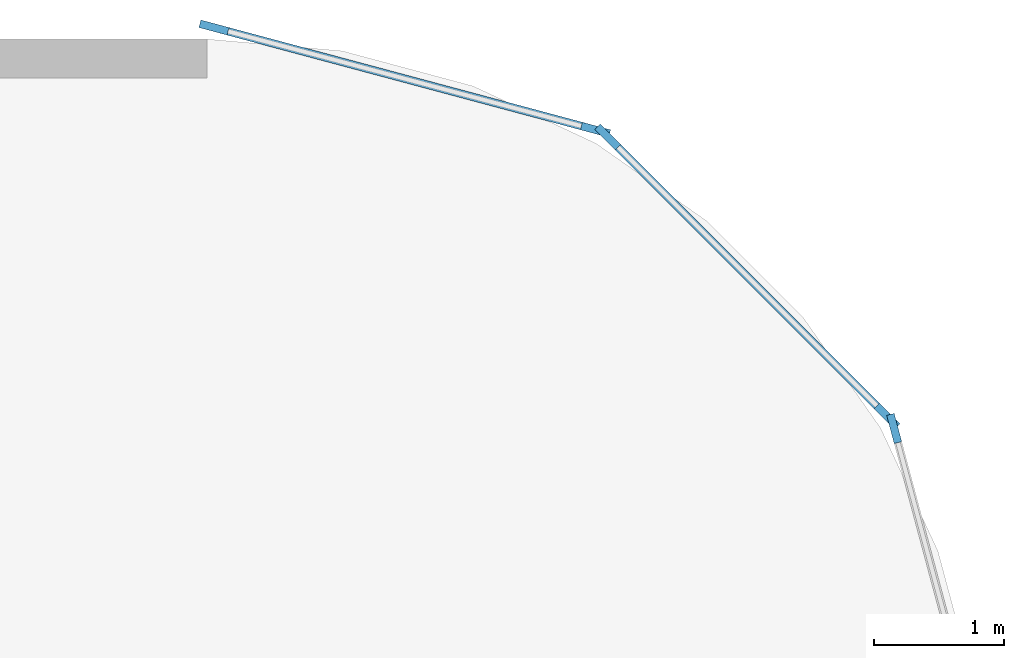
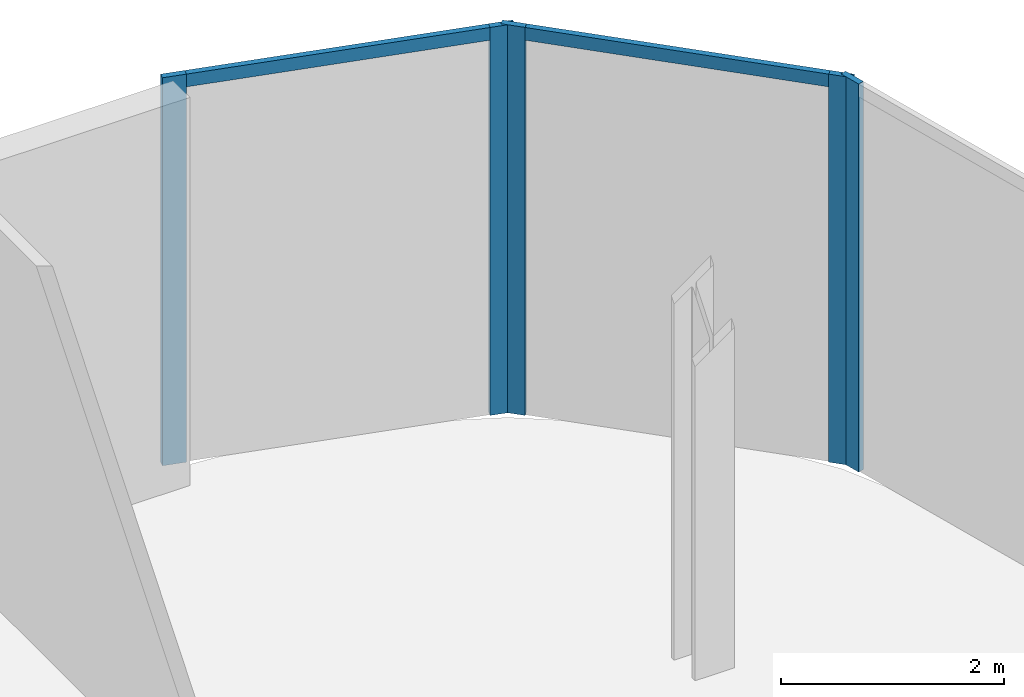
# One storey, part 23 of 47: 7 members, 3 elements without a shape of their own.
"""IFC4 building model written with IfcOpenShell, lengths in metres."""

from ifc_helpers import new_model, si_unit, direction, frame, origin, origin_2d, place, context, subcontext, project, spatial, rectangle, extrude, material, layer, layer_set, material_profile, profile_set, type_object, element, aggregate, save


model = new_model("IFC4")

# Units and contexts
model_context = context("Model", 3, precision=1e-05, world=origin(), true_north=direction((0.0, 1.0)))
body_context = subcontext(model_context, "Body", "Model", "MODEL_VIEW")
ifc_project = project(units=[si_unit("LENGTHUNIT", "METRE"), si_unit("AREAUNIT", "SQUARE_METRE"), si_unit("VOLUMEUNIT", "CUBIC_METRE"), si_unit("PLANEANGLEUNIT", "RADIAN"), si_unit("MASSUNIT", "GRAM", prefix="KILO")], contexts=[model_context])

# Site, building, storey
site_placement = place(None, origin())
site = spatial("IfcSite", under=ifc_project, at=site_placement, CompositionType="ELEMENT")
building_placement = place(site_placement, origin())
building = spatial("IfcBuilding", under=site, at=building_placement, Name="Kheshtan School and Residences Tower", CompositionType="ELEMENT")
storey_placement = place(building_placement, frame((0.0, 0.0, 12.5)))
storey = spatial("IfcBuildingStorey", under=building, at=storey_placement, Name="L02", CompositionType="ELEMENT", Elevation=12.5)

# Curtain wall, members
ifc_material_1 = material(Name="Clear low-e glass in thermally broken aluminium frame", Category="aluminium")
ifc_layer = layer(ifc_material_1, 0.22509765625)
ifc_layer_set = layer_set([ifc_layer], Name="Curtain wall CW-P")
curtain_wall_type = type_object("IfcCurtainWallType", Name="Curtain wall CW-P", PredefinedType="NOTDEFINED", material=ifc_layer_set)
curtain_wall_1_placement = place(storey_placement, origin())
curtain_wall_1 = element("IfcCurtainWall", 1, at=curtain_wall_1_placement, inside=storey, type_object=curtain_wall_type, Name="Curtain wall CWP5a", PredefinedType="NOTDEFINED")
ifc_material_2 = material(Name="Thermally broken aluminium, dark bronze anodised", Category="aluminium")
ifc_material_profile_1 = material_profile(ifc_material_2, rectangle(XDim=0.06005859375, YDim=0.22509765625, at=origin_2d()), Name="CW-P mullion 60x225")
ifc_profile_set_1 = profile_set([ifc_material_profile_1], Name="Thermally broken aluminium, dark bronze anodised")
member_type_1 = type_object("IfcMemberType", Name="CW-P mullion 60x225", PredefinedType="MULLION", material=ifc_profile_set_1)
member_1_placement = place(storey_placement, frame((126.054931640625, 110.0888671875, 0.0), z_axis=(0.0, 0.0, 1.0), x_axis=(0.258864833085, 0.965913556273, 0.0)))
member_1 = element("IfcMember", 2, at=member_1_placement, type_object=member_type_1, Name="CWP5a mullion 1", PredefinedType="MULLION", context=body_context, shape_type="SweptSolid", body=[
    extrude(rectangle(XDim=0.06005859375, YDim=0.22509765625, at=origin_2d()), origin(), (0.0, 0.0, 1.0), 4.25),
])
member_2_placement = place(storey_placement, frame((128.996826171875, 109.30029296875, 0.0), z_axis=(0.0, 0.0, 1.0), x_axis=(0.258864833085, 0.965913556273, 0.0)))
member_2 = element("IfcMember", 3, at=member_2_placement, type_object=member_type_1, Name="CWP5a mullion 2", PredefinedType="MULLION", context=body_context, shape_type="SweptSolid", body=[
    extrude(rectangle(XDim=0.06005859375, YDim=0.22509765625, at=origin_2d()), origin(), (0.0, 0.0, 1.0), 4.25),
])

curtain_wall_2_placement = place(storey_placement, origin())
curtain_wall_2 = element("IfcCurtainWall", 4, at=curtain_wall_2_placement, inside=storey, type_object=curtain_wall_type, Name="Curtain wall CWP6a", PredefinedType="NOTDEFINED")
member_3_placement = place(storey_placement, frame((129.092041015625, 109.24560546875, 0.0), z_axis=(0.0, 0.0, 1.0), x_axis=(0.707106781187, 0.707106781187, 0.0)))
member_3 = element("IfcMember", 5, at=member_3_placement, type_object=member_type_1, Name="CWP6a mullion 1", PredefinedType="MULLION", context=body_context, shape_type="SweptSolid", body=[
    extrude(rectangle(XDim=0.06005859375, YDim=0.22509765625, at=origin_2d()), origin(), (0.0, 0.0, 1.0), 4.25),
])
member_4_placement = place(storey_placement, frame((131.24560546875, 107.092041015625, 0.0), z_axis=(0.0, 0.0, 1.0), x_axis=(0.707106781187, 0.707106781187, 0.0)))
member_4 = element("IfcMember", 6, at=member_4_placement, type_object=member_type_1, Name="CWP6a mullion 2", PredefinedType="MULLION", context=body_context, shape_type="SweptSolid", body=[
    extrude(rectangle(XDim=0.06005859375, YDim=0.22509765625, at=origin_2d()), origin(), (0.0, 0.0, 1.0), 4.25),
])

# Curtain wall, member
curtain_wall_3_placement = place(storey_placement, origin())
curtain_wall_3 = element("IfcCurtainWall", 7, at=curtain_wall_3_placement, inside=storey, type_object=curtain_wall_type, Name="Curtain wall CWP7a", PredefinedType="NOTDEFINED")
member_5_placement = place(storey_placement, frame((131.30029296875, 106.996826171875, 0.0), z_axis=(0.0, 0.0, 1.0), x_axis=(0.965913556273, 0.258864833085, 0.0)))
member_5 = element("IfcMember", 8, at=member_5_placement, type_object=member_type_1, Name="CWP7a mullion 1", PredefinedType="MULLION", context=body_context, shape_type="SweptSolid", body=[
    extrude(rectangle(XDim=0.06005859375, YDim=0.22509765625, at=origin_2d()), origin(), (0.0, 0.0, 1.0), 4.25),
])
aggregate(curtain_wall_3, [member_5])

# Member
ifc_material_profile_2 = material_profile(ifc_material_2, rectangle(XDim=0.06005859375, YDim=0.139892578125, at=origin_2d()), Name="CW-P transom 60x140")
ifc_profile_set_2 = profile_set([ifc_material_profile_2], Name="Thermally broken aluminium, dark bronze anodised")
member_type_2 = type_object("IfcMemberType", Name="CW-P transom 60x140", PredefinedType="USERDEFINED", material=ifc_profile_set_2)
member_6_placement = place(storey_placement, frame((126.083740234375, 110.0810546875, 4.179931640625), z_axis=(0.965916663607, -0.258853238275, 0.0), x_axis=(0.258853238275, 0.965916663607, 0.0)))
member_6 = element("IfcMember", 9, at=member_6_placement, type_object=member_type_2, Name="CWP5a transom 1", ObjectType="TRANSOM", PredefinedType="USERDEFINED", context=body_context, shape_type="SweptSolid", body=[
    extrude(rectangle(XDim=0.06005859375, YDim=0.139892578125, at=origin_2d()), origin(), (0.0, 0.0, 1.0), 2.986083984375),
])

aggregate(curtain_wall_1, [member_1, member_2, member_6])

member_7_placement = place(storey_placement, frame((129.113037109375, 109.224365234375, 4.179931640625), z_axis=(0.707106781187, -0.707106781187, 0.0), x_axis=(0.707106781187, 0.707106781187, 0.0)))
member_7 = element("IfcMember", 10, at=member_7_placement, type_object=member_type_2, Name="CWP6a transom 1", ObjectType="TRANSOM", PredefinedType="USERDEFINED", context=body_context, shape_type="SweptSolid", body=[
    extrude(rectangle(XDim=0.06005859375, YDim=0.139892578125, at=origin_2d()), origin(), (0.0, 0.0, 1.0), 2.98583984375),
])

aggregate(curtain_wall_2, [member_3, member_4, member_7])

save(model, "model.ifc")
